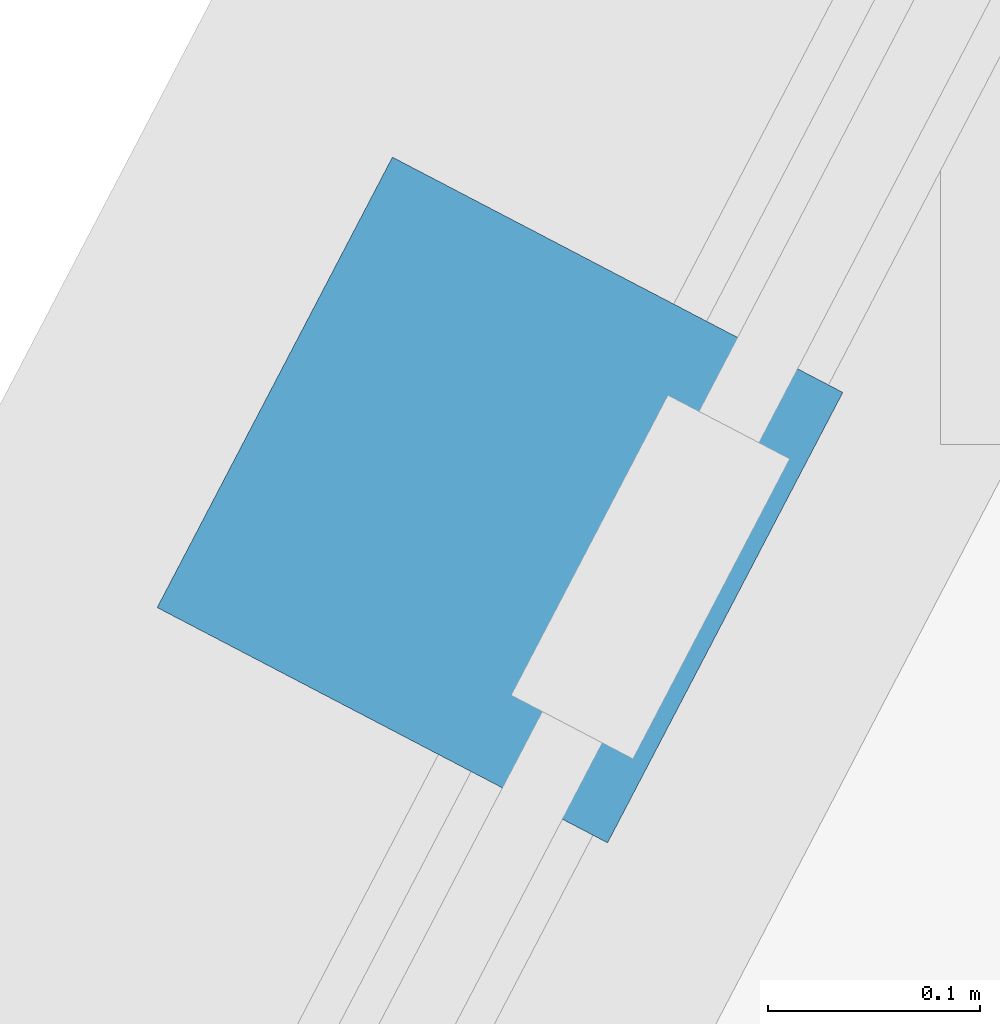
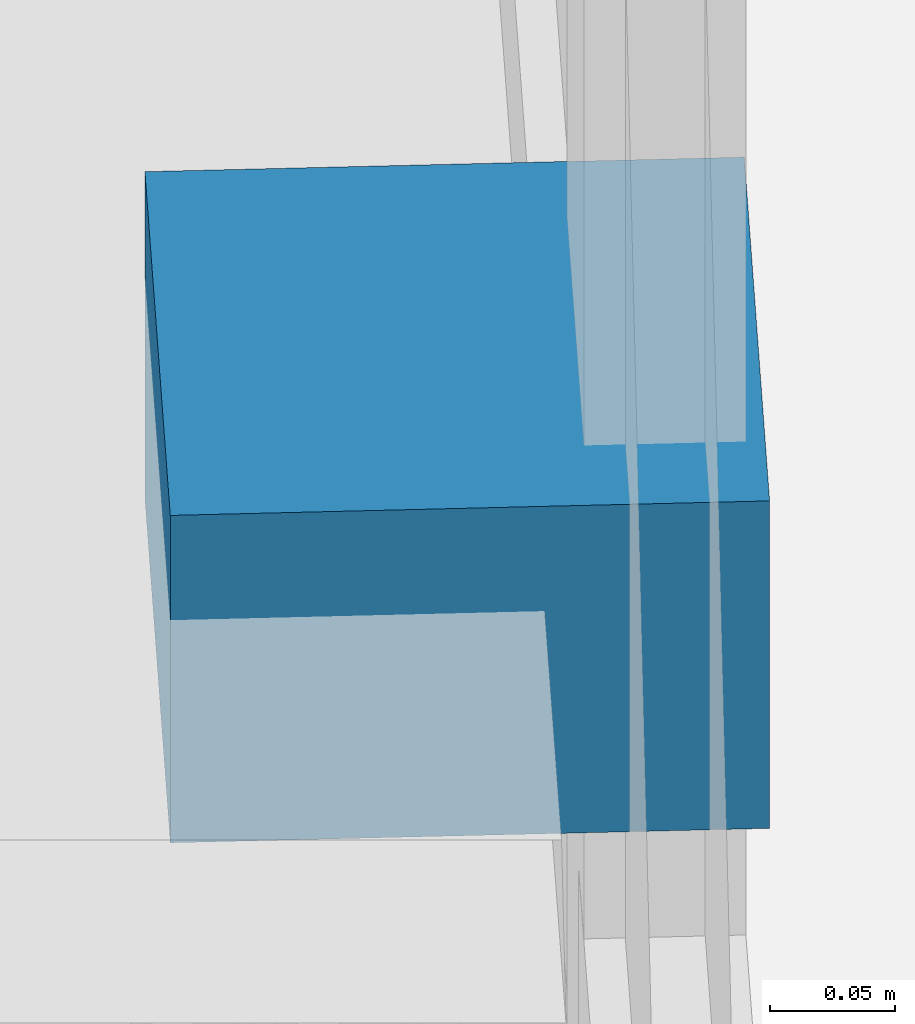
# One storey, part 125 of 134: 1 discrete accessory.
"""IFC4 building model written with IfcOpenShell, lengths in metres."""

from ifc_helpers import new_model, si_unit, direction, frame, origin, origin_2d, place, context, subcontext, project, spatial, rectangle, extrude, material, type_object, element, save


model = new_model("IFC4")

# Units and contexts
model_context = context("Model", 3, precision=1e-05, world=origin(), true_north=direction((0.0, 1.0)))
body_context = subcontext(model_context, "Body", "Model", "MODEL_VIEW")
ifc_project = project(units=[si_unit("LENGTHUNIT", "METRE"), si_unit("AREAUNIT", "SQUARE_METRE"), si_unit("VOLUMEUNIT", "CUBIC_METRE"), si_unit("PLANEANGLEUNIT", "RADIAN"), si_unit("MASSUNIT", "GRAM", prefix="KILO")], contexts=[model_context])

# Site, building, storey
site_placement = place(None, origin())
site = spatial("IfcSite", under=ifc_project, at=site_placement, CompositionType="ELEMENT")
building_placement = place(site_placement, origin())
building = spatial("IfcBuilding", under=site, at=building_placement, Name="Tameran Prism Museum", CompositionType="ELEMENT")
storey_placement = place(building_placement, frame((0.0, 0.0, 5.39990234375)))
storey = spatial("IfcBuildingStorey", under=building, at=storey_placement, Name="L01", CompositionType="ELEMENT", Elevation=5.39990234375)

# Discrete accessory
ifc_material = material(Name="Galvanized Steel Grade 350 (350 MPa)", Category="steel")
discrete_accessory_type = type_object("IfcDiscreteAccessoryType", Name="DA-BRK-STL", PredefinedType="BRACKET", material=ifc_material)
discrete_accessory_placement = place(storey_placement, frame((98.06494140625, 88.9599609375, 3.09033203125), z_axis=(0.0, 0.0, 1.0), x_axis=(0.462986663495, 0.886365246062, 0.0)))
element("IfcDiscreteAccessory", 1, at=discrete_accessory_placement, inside=storey, type_object=discrete_accessory_type, Name="Facade Sunshade Bracket BK-018", PredefinedType="BRACKET", context=body_context, shape_type="SweptSolid", body=[
    extrude(rectangle(XDim=0.239990234375, YDim=0.239990234375, at=origin_2d()), origin(), (0.0, 0.0, 1.0), 0.159912109375),
])

save(model, "model.ifc")
